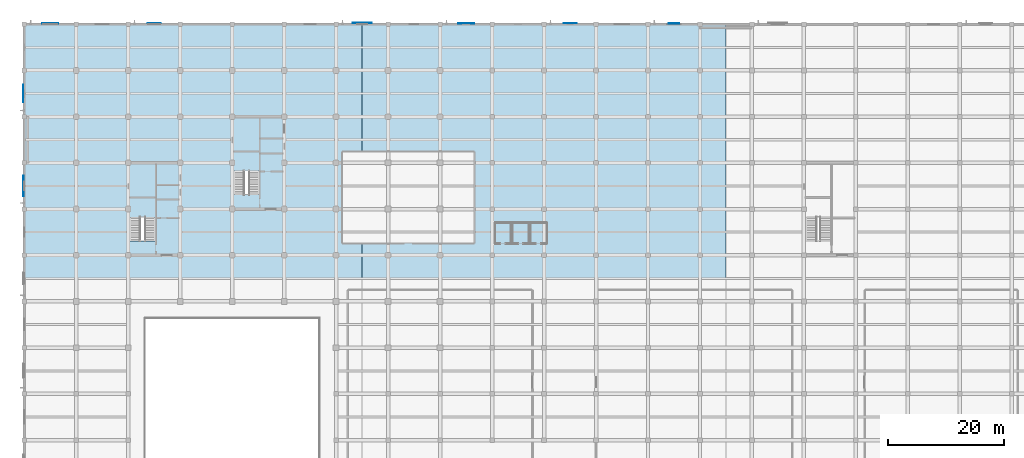
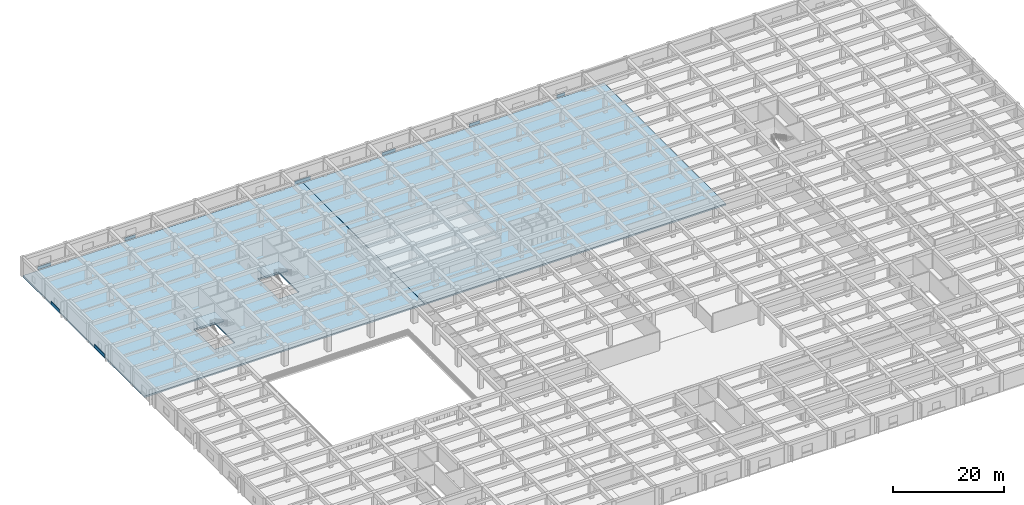
# One storey, part 7 of 32: 8 plates, 4 slabs, 2 elements without a shape of their own.
"""IFC4 building model written with IfcOpenShell, lengths in metres."""

from ifc_helpers import new_model, si_unit, direction, frame, frame_2d, origin, place, context, subcontext, project, spatial, polyline, rectangle, outline, extrude, material, layer, layer_set, type_object, element, aggregate, save


model = new_model("IFC4")

# Units and contexts
model_context = context("Model", 3, precision=1e-05, world=origin(), true_north=direction((0.0, 1.0)))
body_context = subcontext(model_context, "Body", "Model", "MODEL_VIEW")
ifc_project = project(units=[si_unit("LENGTHUNIT", "METRE"), si_unit("AREAUNIT", "SQUARE_METRE"), si_unit("VOLUMEUNIT", "CUBIC_METRE"), si_unit("PLANEANGLEUNIT", "RADIAN"), si_unit("MASSUNIT", "GRAM", prefix="KILO")], contexts=[model_context])

# Site, building, storey
site_placement = place(None, origin())
site = spatial("IfcSite", under=ifc_project, at=site_placement, CompositionType="ELEMENT")
building_placement = place(site_placement, origin())
building = spatial("IfcBuilding", under=site, at=building_placement, Name="Zaverband Oceanarium and Marine Research Institute", CompositionType="ELEMENT")
storey_placement = place(building_placement, frame((0.0, 0.0, 13.5)))
storey = spatial("IfcBuildingStorey", under=building, at=storey_placement, Name="L03", CompositionType="ELEMENT", Elevation=13.5)

# Plates
ifc_material_1 = material(Name="Concrete C40/50 precast ochre", Category="concrete")
ifc_layer_1 = layer(ifc_material_1, 0.070068359375, Name="Concrete C40/50 precast ochre")
ifc_layer_set_1 = layer_set([ifc_layer_1], Name="Concrete C40/50 precast ochre")
plate_type_1 = type_object("IfcPlateType", Name="FRP-1750x700", PredefinedType="USERDEFINED", material=ifc_layer_set_1)
plate_1_placement = place(storey_placement, frame((111.625, 120.152587890625, 0.0), z_axis=(0.0, 0.0, 1.0), x_axis=(1.0, 0.0, 0.0)))
element("IfcPlate", 1, at=plate_1_placement, inside=storey, type_object=plate_type_1, Name="Geometric precast facade cladding panel FRP-1750x700", ObjectType="FLANGE_PLATE", PredefinedType="USERDEFINED", context=body_context, shape_type="SweptSolid", body=[
    extrude(rectangle(XDim=1.75, YDim=0.070068359375, at=frame_2d((0.875, 0.0))), origin(), (0.0, 0.0, 1.0), 0.699951171875),
])
ifc_layer_2 = layer(ifc_material_1, 0.074951171875, Name="Concrete C40/50 precast ochre")
ifc_layer_set_2 = layer_set([ifc_layer_2], Name="Concrete C40/50 precast ochre")
plate_type_2 = type_object("IfcPlateType", Name="FRP-2250x740", PredefinedType="USERDEFINED", material=ifc_layer_set_2)
for number, where, z_axis, x_axis, name in (
    (2, (21.375, 120.177490234375, 0.0), (0.0, 0.0, 1.0), (1.0, 0.0, 0.0), "Geometric precast facade cladding panel FRP-2250x740"),
    (3, (93.375, 120.177490234375, 0.0), (0.0, 0.0, 1.0), (1.0, 0.0, 0.0), "Geometric precast facade cladding panel FRP-2250x740"),
):
    element("IfcPlate", number, at=place(storey_placement, frame(where, z_axis=z_axis, x_axis=x_axis)), inside=storey, type_object=plate_type_2, Name=name, ObjectType="FLANGE_PLATE", PredefinedType="USERDEFINED", context=body_context, shape_type="SweptSolid", body=[
        extrude(rectangle(XDim=2.25, YDim=0.074951171875, at=frame_2d((1.125, 0.0))), origin(), (0.0, 0.0, 1.0), 0.739990234375),
    ])
ifc_layer_3 = layer(ifc_material_1, 0.080078125, Name="Concrete C40/50 precast ochre")
ifc_layer_set_3 = layer_set([ifc_layer_3], Name="Concrete C40/50 precast ochre")
plate_type_3 = type_object("IfcPlateType", Name="FRP-2750x760", PredefinedType="USERDEFINED", material=ifc_layer_set_3)
for number, where, z_axis, x_axis, name in (
    (4, (3.125, 120.157470703125, 0.0), (0.0, 0.0, 1.0), (1.0, 0.0, 0.0), "Geometric precast facade cladding panel FRP-2750x760"),
    (5, (75.125, 120.157470703125, 0.0), (0.0, 0.0, 1.0), (1.0, 0.0, 0.0), "Geometric precast facade cladding panel FRP-2750x760"),
):
    element("IfcPlate", number, at=place(storey_placement, frame(where, z_axis=z_axis, x_axis=x_axis)), inside=storey, type_object=plate_type_3, Name=name, ObjectType="FLANGE_PLATE", PredefinedType="USERDEFINED", context=body_context, shape_type="SweptSolid", body=[
        extrude(rectangle(XDim=2.75, YDim=0.080078125, at=frame_2d((1.375, 0.0))), origin(), (0.0, 0.0, 1.0), 0.760009765625),
    ])
ifc_layer_4 = layer(ifc_material_1, 0.080078125, Name="Concrete C40/50 precast ochre")
ifc_layer_set_4 = layer_set([ifc_layer_4], Name="Concrete C40/50 precast ochre")
plate_type_4 = type_object("IfcPlateType", Name="FRP-3000x780", PredefinedType="USERDEFINED", material=ifc_layer_set_4)
plate_2_placement = place(storey_placement, frame((-0.169921875, 106.5, 0.0), z_axis=(0.0, 0.0, 1.0), x_axis=(0.0, 1.0, 0.0)))
element("IfcPlate", 6, at=plate_2_placement, inside=storey, type_object=plate_type_4, Name="Geometric precast facade cladding panel FRP-3000x780", ObjectType="FLANGE_PLATE", PredefinedType="USERDEFINED", context=body_context, shape_type="SweptSolid", body=[
    extrude(rectangle(XDim=3.0, YDim=0.080078125, at=frame_2d((1.5, 0.0))), origin(), (0.0, 0.0, 1.0), 0.780029296875),
])
ifc_layer_5 = layer(ifc_material_1, 0.0849609375, Name="Concrete C40/50 precast ochre")
ifc_layer_set_5 = layer_set([ifc_layer_5], Name="Concrete C40/50 precast ochre")
plate_type_5 = type_object("IfcPlateType", Name="FRP-3300x800", PredefinedType="USERDEFINED", material=ifc_layer_set_5)
plate_3_placement = place(storey_placement, frame((56.85009765625, 120.1826171875, 0.0), z_axis=(0.0, 0.0, 1.0), x_axis=(1.0, 0.0, 0.0)))
element("IfcPlate", 7, at=plate_3_placement, inside=storey, type_object=plate_type_5, Name="Geometric precast facade cladding panel FRP-3300x800", ObjectType="FLANGE_PLATE", PredefinedType="USERDEFINED", context=body_context, shape_type="SweptSolid", body=[
    extrude(rectangle(XDim=3.2998046875, YDim=0.0849609375, at=frame_2d((1.64990234375, 0.0))), origin(), (0.0, 0.0, 1.0), 0.800048828125),
])
ifc_layer_6 = layer(ifc_material_1, 0.0849609375, Name="Concrete C40/50 precast ochre")
ifc_layer_set_6 = layer_set([ifc_layer_6], Name="Concrete C40/50 precast ochre")
plate_type_6 = type_object("IfcPlateType", Name="FRP-3600x800", PredefinedType="USERDEFINED", material=ifc_layer_set_6)
plate_4_placement = place(storey_placement, frame((-0.159912109375, 90.199951171875, 0.0), z_axis=(0.0, 0.0, 1.0), x_axis=(0.0, 1.0, 0.0)))
element("IfcPlate", 8, at=plate_4_placement, inside=storey, type_object=plate_type_6, Name="Geometric precast facade cladding panel FRP-3600x800", ObjectType="FLANGE_PLATE", PredefinedType="USERDEFINED", context=body_context, shape_type="SweptSolid", body=[
    extrude(rectangle(XDim=3.60009765625, YDim=0.0849609375, at=frame_2d((1.800048828125, 0.0))), origin(), (0.0, 0.0, 1.0), 0.800048828125),
])

# Stair, slab
ifc_material_2 = material(Name="Concrete C40/50", Category="concrete")
stair_type = type_object("IfcStairType", Name="STR-TWR-1650-4500", PredefinedType="HALF_TURN_STAIR", material=ifc_material_2)
stair_1_placement = place(storey_placement, origin())
stair_1 = element("IfcStair", 9, at=stair_1_placement, inside=storey, type_object=stair_type, Name="Exit Stair ST-01 (L03)", PredefinedType="HALF_TURN_STAIR")
ifc_layer_7 = layer(ifc_material_2, 0.199951171875, Name="Concrete C40/50")
ifc_layer_set_7 = layer_set([ifc_layer_7], Name="Concrete C40/50")
slab_type_1 = type_object("IfcSlabType", Name="SLB-LND-200", PredefinedType="LANDING", material=ifc_layer_set_7)
slab_1_placement = place(storey_placement, frame((0.0, 0.0, 2.050048828125)))
slab_1 = element("IfcSlab", 10, at=slab_1_placement, type_object=slab_type_1, Name="Stair / ramp landing slab SLB-LND-200", PredefinedType="LANDING", context=body_context, shape_type="SweptSolid", body=[
    extrude(outline(polyline([(18.139892578125, 86.570068359375), (22.735107421875, 86.570068359375), (22.735107421875, 89.93505859375), (18.139892578125, 89.93505859375), (18.139892578125, 86.570068359375)])), origin(), (0.0, 0.0, 1.0), 0.199951171875),
])
aggregate(stair_1, [slab_1])

stair_2_placement = place(storey_placement, origin())
stair_2 = element("IfcStair", 11, at=stair_2_placement, inside=storey, type_object=stair_type, Name="Exit Stair ST-02 (L03)", PredefinedType="HALF_TURN_STAIR")
slab_2_placement = place(storey_placement, frame((0.0, 0.0, 2.050048828125)))
slab_2 = element("IfcSlab", 12, at=slab_2_placement, type_object=slab_type_1, Name="Stair / ramp landing slab SLB-LND-200", PredefinedType="LANDING", context=body_context, shape_type="SweptSolid", body=[
    extrude(outline(polyline([(36.139892578125, 94.570068359375), (40.735107421875, 94.570068359375), (40.735107421875, 97.93505859375), (36.139892578125, 97.93505859375), (36.139892578125, 94.570068359375)])), origin(), (0.0, 0.0, 1.0), 0.199951171875),
])
aggregate(stair_2, [slab_2])

# Slabs
ifc_layer_8 = layer(ifc_material_2, 0.360107421875, Name="Concrete C40/50")
ifc_layer_set_8 = layer_set([ifc_layer_8], Name="Concrete C40/50")
slab_type_2 = type_object("IfcSlabType", Name="SLB-LSS-360", PredefinedType="FLOOR", material=ifc_layer_set_8)
slab_3_placement = place(storey_placement, frame((0.0, 0.0, -0.360107421875)))
element("IfcSlab", 13, at=slab_3_placement, inside=storey, type_object=slab_type_2, Name="Suspended floor slab SLB-LSS-360", PredefinedType="FLOOR", context=body_context, shape_type="SweptSolid", body=[
    extrude(outline(polyline([(0.0, 120.0), (58.485107421875, 120.0), (58.485107421875, 76.014892578125), (0.0, 76.014892578125), (0.0, 120.0)]), holes=[polyline([(22.64990234375, 89.85009765625), (18.35009765625, 89.85009765625), (18.35009765625, 82.5), (22.64990234375, 82.5), (22.64990234375, 89.85009765625)]), polyline([(40.64990234375, 97.85009765625), (36.35009765625, 97.85009765625), (36.35009765625, 90.5), (40.64990234375, 90.5), (40.64990234375, 97.85009765625)])]), origin(), (0.0, 0.0, 1.0), 0.360107421875),
])
slab_4_placement = place(storey_placement, frame((0.0, 0.0, -0.360107421875)))
element("IfcSlab", 14, at=slab_4_placement, inside=storey, type_object=slab_type_2, Name="Suspended floor slab SLB-LSS-360", PredefinedType="FLOOR", context=body_context, shape_type="SweptSolid", body=[
    extrude(outline(polyline([(58.514892578125, 120.0), (121.485107421875, 120.0), (121.485107421875, 76.014892578125), (58.514892578125, 76.014892578125), (58.514892578125, 120.0)])), origin(), (0.0, 0.0, 1.0), 0.360107421875),
])

save(model, "model.ifc")
